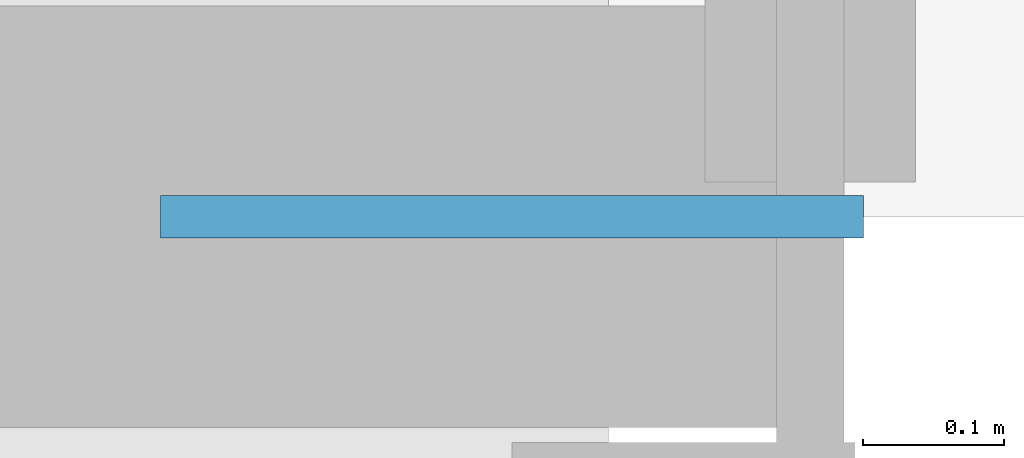
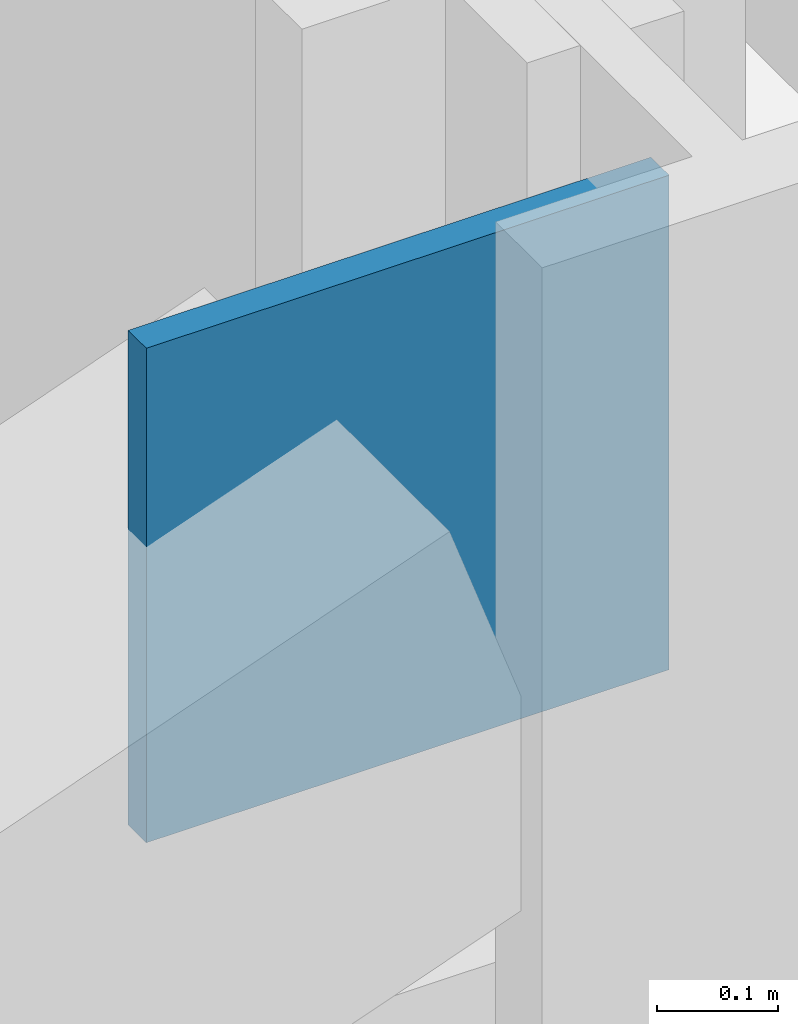
# One storey, part 20 of 29: 1 discrete accessory.
"""IFC4 building model written with IfcOpenShell, lengths in metres."""

from ifc_helpers import new_model, si_unit, direction, frame, origin, origin_2d, place, context, subcontext, project, spatial, rectangle, extrude, material, layer, layer_set, type_object, element, save


model = new_model("IFC4")

# Units and contexts
model_context = context("Model", 3, precision=1e-05, world=origin(), true_north=direction((0.0, 1.0)))
body_context = subcontext(model_context, "Body", "Model", "MODEL_VIEW")
ifc_project = project(units=[si_unit("LENGTHUNIT", "METRE"), si_unit("AREAUNIT", "SQUARE_METRE"), si_unit("VOLUMEUNIT", "CUBIC_METRE"), si_unit("PLANEANGLEUNIT", "RADIAN"), si_unit("MASSUNIT", "GRAM", prefix="KILO")], contexts=[model_context])

# Site, building, storey
site_placement = place(None, origin())
site = spatial("IfcSite", under=ifc_project, at=site_placement, CompositionType="ELEMENT")
building_placement = place(site_placement, origin())
building = spatial("IfcBuilding", under=site, at=building_placement, Name="Mahtab Terrace Research Tower", CompositionType="ELEMENT")
storey_placement = place(building_placement, frame((0.0, 0.0, 54.60009765625)))
storey = spatial("IfcBuildingStorey", under=building, at=storey_placement, Name="L12", CompositionType="ELEMENT", Elevation=54.60009765625)

# Discrete accessory
ifc_material = material(Name="Steel ASTM A992 Gr 50", Category="steel")
ifc_layer = layer(ifc_material, 0.030029296875)
ifc_layer_set = layer_set([ifc_layer], Name="Gusset plate 500x500x30")
discrete_accessory_type = type_object("IfcDiscreteAccessoryType", Name="Gusset plate 500x500x30", PredefinedType="USERDEFINED", material=ifc_layer_set)
discrete_accessory_placement = place(storey_placement, frame((17.787841796875, -23.0, 3.331298828125), z_axis=(0.0, 0.0, 1.0), x_axis=(1.0, 0.0, 0.0)))
element("IfcDiscreteAccessory", 1, at=discrete_accessory_placement, inside=storey, type_object=discrete_accessory_type, Name="Gusset plate", ObjectType="GUSSET PLATE", PredefinedType="USERDEFINED", context=body_context, shape_type="SweptSolid", body=[
    extrude(rectangle(XDim=0.5, YDim=0.030029296875, at=origin_2d()), origin(), (0.0, 0.0, 1.0), 0.5),
])

save(model, "model.ifc")
